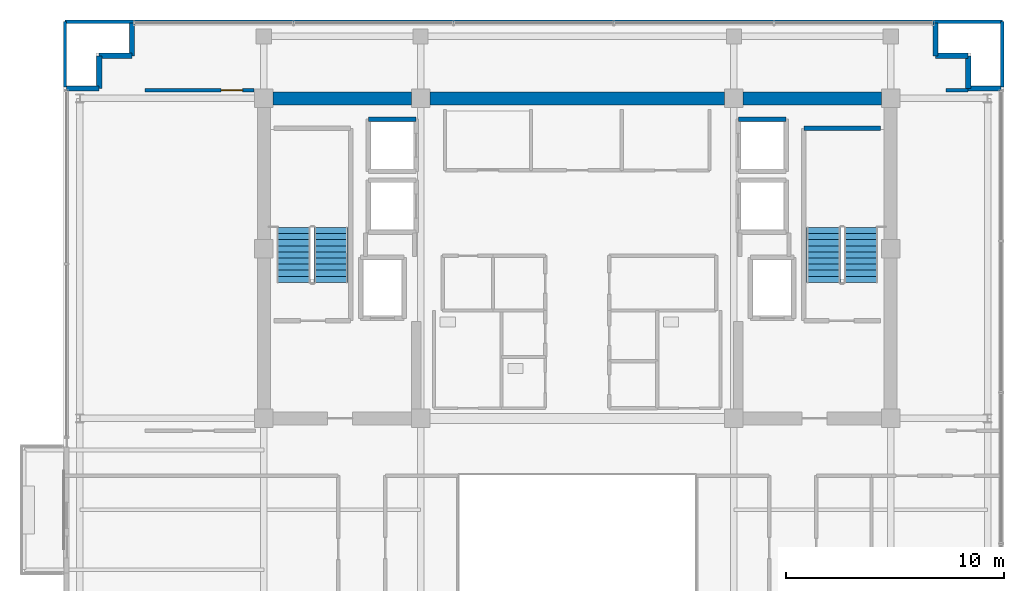
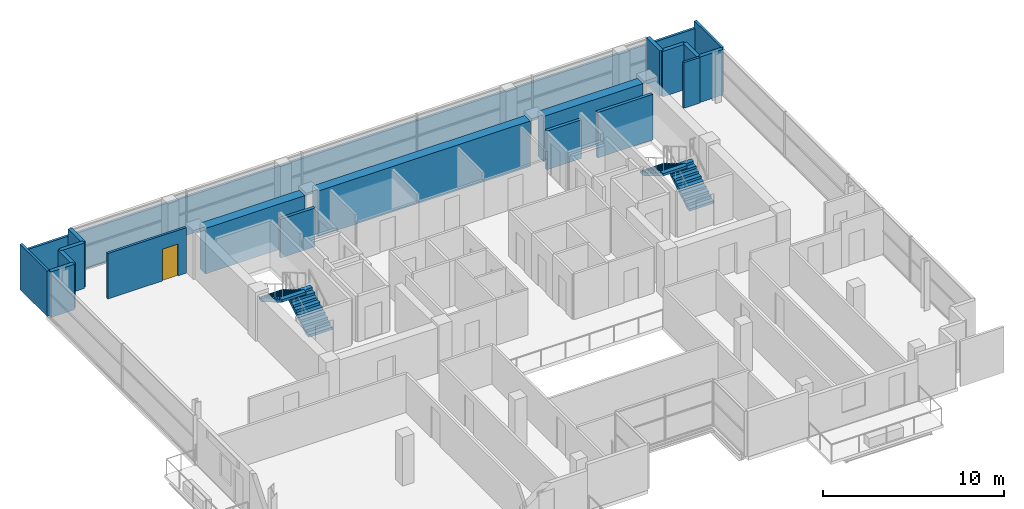
# One storey, part 18 of 22: 19 walls, 4 stair flights, 1 door, 1 opening, 2 elements without a shape of their own.
"""IFC4 building model written with IfcOpenShell, lengths in metres."""

from ifc_helpers import new_model, si_unit, direction, frame, frame_2d, origin, place, context, subcontext, project, spatial, polyline, rectangle, outline, extrude, source, transform, mapped, material, layer, layer_set, type_object, element, fill, aggregate, save


model = new_model("IFC4")

# Units and contexts
model_context = context("Model", 3, precision=1e-05, world=origin(), true_north=direction((0.0, 1.0)))
body_context = subcontext(model_context, "Body", "Model", "MODEL_VIEW")
ifc_project = project(units=[si_unit("LENGTHUNIT", "METRE"), si_unit("AREAUNIT", "SQUARE_METRE"), si_unit("VOLUMEUNIT", "CUBIC_METRE"), si_unit("PLANEANGLEUNIT", "RADIAN"), si_unit("MASSUNIT", "GRAM", prefix="KILO")], contexts=[model_context])

# Site, building, storey
site_placement = place(None, origin())
site = spatial("IfcSite", under=ifc_project, at=site_placement, CompositionType="ELEMENT")
building_placement = place(site_placement, origin())
building = spatial("IfcBuilding", under=site, at=building_placement, Name="Zarnakvel Exchange Tower", CompositionType="ELEMENT")
storey_placement = place(building_placement, frame((0.0, 0.0, 228.699951171875)))
storey = spatial("IfcBuildingStorey", under=building, at=storey_placement, Name="L64", CompositionType="ELEMENT", Elevation=228.699951171875)

# Walls
ifc_material_1 = material(Name="Concrete C50/60", Category="concrete")
ifc_layer_1 = layer(ifc_material_1, 0.60009765625)
ifc_layer_set_1 = layer_set([ifc_layer_1], Name="Concrete C50/60")
wall_type_1 = type_object("IfcWallType", Name="CW-C5", PredefinedType="SHEAR", material=ifc_layer_set_1)
wall_1_placement = place(storey_placement, frame((-13.97509765625, 13.5, 0.0), z_axis=(0.0, 0.0, 1.0), x_axis=(1.0, 0.0, 0.0)))
element("IfcWall", 1, at=wall_1_placement, inside=storey, type_object=wall_type_1, Name="L64 Rear Core Shear Wall N1 (CW-C5)", PredefinedType="SHEAR", context=body_context, shape_type="SweptSolid", body=[
    extrude(rectangle(XDim=6.35009765625, YDim=0.60009765625, at=frame_2d((3.175048828125, 0.0))), origin(), (0.0, 0.0, 1.0), 3.074951171875),
])
wall_2_placement = place(storey_placement, frame((-6.77490234375, 13.5, 0.0), z_axis=(0.0, 0.0, 1.0), x_axis=(1.0, 0.0, 0.0)))
element("IfcWall", 2, at=wall_2_placement, inside=storey, type_object=wall_type_1, Name="L64 Rear Core Shear Wall N2 (CW-C5)", PredefinedType="SHEAR", context=body_context, shape_type="SweptSolid", body=[
    extrude(rectangle(XDim=13.5498046875, YDim=0.60009765625, at=frame_2d((6.77490234375, 0.0))), origin(), (0.0, 0.0, 1.0), 3.074951171875),
])
wall_3_placement = place(storey_placement, frame((7.625, 13.5, 0.0), z_axis=(0.0, 0.0, 1.0), x_axis=(1.0, 0.0, 0.0)))
element("IfcWall", 3, at=wall_3_placement, inside=storey, type_object=wall_type_1, Name="L64 Rear Core Shear Wall N3 (CW-C5)", PredefinedType="SHEAR", context=body_context, shape_type="SweptSolid", body=[
    extrude(rectangle(XDim=6.35009765625, YDim=0.60009765625, at=frame_2d((3.175048828125, 0.0))), origin(), (0.0, 0.0, 1.0), 3.074951171875),
])
ifc_material_2 = material(Name="Precast concrete C40/50", Category="concrete")
ifc_layer_2 = layer(ifc_material_2, 0.239990234375)
ifc_layer_set_2 = layer_set([ifc_layer_2], Name="Precast concrete C40/50")
wall_type_2 = type_object("IfcWallType", Name="EW-02", PredefinedType="SOLIDWALL", material=ifc_layer_set_2)
for number, where, z_axis, x_axis, name in (
    (4, (-21.9599609375, 13.9599609375, 0.0), (0.0, 0.0, 1.0), (-1.0, 0.0, 0.0), "L64 Exterior Precast Spandrel Wall EWC-L64-03 (EW-02)"),
    (5, (-21.9599609375, 15.4599609375, 0.0), (0.0, 0.0, 1.0), (0.0, -1.0, 0.0), "L64 Exterior Precast Spandrel Wall EWC-L64-04 (EW-02)"),
    (6, (-20.4599609375, 15.4599609375, 0.0), (0.0, 0.0, 1.0), (-1.0, 0.0, 0.0), "L64 Exterior Precast Spandrel Wall EWC-L64-05 (EW-02)"),
    (7, (-20.4599609375, 16.9599609375, 0.0), (0.0, 0.0, 1.0), (0.0, -1.0, 0.0), "L64 Exterior Precast Spandrel Wall EWC-L64-06 (EW-02)"),
    (8, (16.4599609375, 15.4599609375, 0.0), (0.0, 0.0, 1.0), (0.0, 1.0, 0.0), "L64 Exterior Precast Spandrel Wall EWC-L64-07 (EW-02)"),
    (9, (17.9599609375, 15.4599609375, 0.0), (0.0, 0.0, 1.0), (-1.0, 0.0, 0.0), "L64 Exterior Precast Spandrel Wall EWC-L64-08 (EW-02)"),
    (10, (17.9599609375, 13.9599609375, 0.0), (0.0, 0.0, 1.0), (0.0, 1.0, 0.0), "L64 Exterior Precast Spandrel Wall EWC-L64-09 (EW-02)"),
    (11, (19.4599609375, 13.9599609375, 0.0), (0.0, 0.0, 1.0), (-1.0, 0.0, 0.0), "L64 Exterior Precast Spandrel Wall EWC-L64-10 (EW-02)"),
):
    element("IfcWall", number, at=place(storey_placement, frame(where, z_axis=z_axis, x_axis=x_axis)), inside=storey, type_object=wall_type_2, Name=name, PredefinedType="SOLIDWALL", context=body_context, shape_type="SweptSolid", body=[
        extrude(rectangle(XDim=1.5, YDim=0.239990234375, at=frame_2d((0.75, 0.0))), origin(), (0.0, 0.0, 1.0), 3.074951171875),
    ])

# Wall, opening, door
ifc_material_3 = material(Name="Fire-Rated Gypsum Stud Partition", Category="gypsum")
ifc_layer_3 = layer(ifc_material_3, 0.14990234375)
ifc_layer_set_3 = layer_set([ifc_layer_3], Name="Fire-Rated Gypsum Stud Partition")
wall_type_3 = type_object("IfcWallType", Name="PT-01", PredefinedType="PARTITIONING", material=ifc_layer_set_3)
wall_4_placement = place(storey_placement, frame((-19.853271484375, 13.8798828125, 0.0), z_axis=(0.0, 0.0, 1.0), x_axis=(1.0, 0.0, 0.0)))
wall_4 = element("IfcWall", 12, at=wall_4_placement, inside=storey, type_object=wall_type_3, Name="L64 Partition Wall PWALL-L64-067 (PT-01)", PredefinedType="PARTITIONING", context=body_context, shape_type="SweptSolid", body=[
    extrude(rectangle(XDim=5.00830078125, YDim=0.14990234375, at=frame_2d((2.504150390625, 0.0))), origin(), (0.0, 0.0, 1.0), 3.074951171875),
])
opening_placement = place(wall_4_placement, frame((3.498291015625, 0.0, 0.0)))
opening = element("IfcOpeningElement", 13, at=opening_placement, cuts=wall_4, Name="Opening D-L64-25", PredefinedType="OPENING", context=body_context, shape_type="SweptSolid", body=[
    extrude(rectangle(XDim=0.97998046875, YDim=2.14990234375, at=frame_2d((0.489990234375, 1.074951171875))), frame((0.0, 0.0849609375, 0.0), z_axis=(0.0, -1.0, 0.0), x_axis=(1.0, 0.0, 0.0)), (0.0, 0.0, 1.0), 0.169921875),
])
ifc_material_4 = material(Name="Timber Acoustic Veneer", Category="wood")
door_type = type_object("IfcDoorType", Name="DT-05", OperationType="NOTDEFINED", PredefinedType="DOOR", material=ifc_material_4)
shared_shape = source(origin(), body_context, "Body", "SweptSolid", [
    extrude(rectangle(XDim=0.97998046875, YDim=2.14990234375, at=frame_2d((0.489990234375, 1.074951171875))), frame((0.0, 0.02490234375, 0.0), z_axis=(0.0, -1.0, 0.0), x_axis=(1.0, 0.0, 0.0)), (0.0, 0.0, 1.0), 0.050048828125),
])
door_placement = place(opening_placement, origin())
door = element("IfcDoor", 14, at=door_placement, inside=storey, type_object=door_type, Name="L64 Compliance Office Door D-L64-25", OperationType="SINGLE_SWING_LEFT", OverallHeight=2.14990234375, OverallWidth=0.97998046875, PredefinedType="DOOR", context=body_context, shape_type="MappedRepresentation", body=[
    mapped(shared_shape, transform((0.0, 0.0, 0.0), x_axis=(1.0, 0.0, 0.0), y_axis=(0.0, 1.0, 0.0), z_axis=(0.0, 0.0, 1.0), scale=1.0)),
])
fill(opening, door)

# Walls
wall_5_placement = place(storey_placement, frame((16.929931640625, 13.8798828125, 0.0), z_axis=(0.0, 0.0, 1.0), x_axis=(1.0, 0.0, 0.0)))
element("IfcWall", 15, at=wall_5_placement, inside=storey, type_object=wall_type_3, Name="L64 Partition Wall PWALL-L64-069 (PT-01)", PredefinedType="PARTITIONING", context=body_context, shape_type="SweptSolid", body=[
    extrude(rectangle(XDim=1.030029296875, YDim=0.14990234375, at=frame_2d((0.51513671875, 0.0))), origin(), (0.0, 0.0, 1.0), 3.074951171875),
])
wall_6_placement = place(storey_placement, frame((-23.530029296875, 17.030029296875, 0.0), z_axis=(0.0, 0.0, 1.0), x_axis=(1.0, 0.0, 0.0)))
element("IfcWall", 16, at=wall_6_placement, inside=storey, type_object=wall_type_3, Name="L64 Partition Wall PWALL-L64-070 (PT-01)", PredefinedType="PARTITIONING", context=body_context, shape_type="SweptSolid", body=[
    extrude(rectangle(XDim=43.06005859375, YDim=0.14990234375, at=frame_2d((21.530029296875, 0.0))), origin(), (0.0, 0.0, 1.0), 2.590087890625),
])
for number, where, z_axis, x_axis, name in (
    (17, (-23.530029296875, 14.030029296875, 0.0), (0.0, 0.0, 1.0), (0.0, 1.0, 0.0), "L64 Partition Wall PWALL-L64-071 (PT-01)"),
    (18, (19.530029296875, 17.030029296875, 0.0), (0.0, 0.0, 1.0), (0.0, -1.0, 0.0), "L64 Partition Wall PWALL-L64-072 (PT-01)"),
):
    element("IfcWall", number, at=place(storey_placement, frame(where, z_axis=z_axis, x_axis=x_axis)), inside=storey, type_object=wall_type_3, Name=name, PredefinedType="PARTITIONING", context=body_context, shape_type="SweptSolid", body=[
        extrude(rectangle(XDim=3.0, YDim=0.14990234375, at=frame_2d((1.5, 0.0))), origin(), (0.0, 0.0, 1.0), 3.074951171875),
    ])
ifc_material_5 = material(Name="Concrete C40/50", Category="concrete")
ifc_layer_4 = layer(ifc_material_5, 0.199951171875)
ifc_layer_set_4 = layer_set([ifc_layer_4], Name="Concrete C40/50")
wall_type_4 = type_object("IfcWallType", Name="SW-01", PredefinedType="SOLIDWALL", material=ifc_layer_set_4)
for number, where, z_axis, x_axis, name in (
    (19, (-9.60009765625, 12.550048828125, 0.0), (0.0, 0.0, 1.0), (1.0, 0.0, 0.0), "L64 PL-10 Hoistway Wall North"),
    (20, (7.39990234375, 12.550048828125, 0.0), (0.0, 0.0, 1.0), (1.0, 0.0, 0.0), "L64 PL-12 Hoistway Wall North"),
):
    element("IfcWall", number, at=place(storey_placement, frame(where, z_axis=z_axis, x_axis=x_axis)), inside=storey, type_object=wall_type_4, Name=name, PredefinedType="SOLIDWALL", context=body_context, shape_type="SweptSolid", body=[
        extrude(rectangle(XDim=2.2001953125, YDim=0.199951171875, at=frame_2d((1.10009765625, 0.0))), origin(), (0.0, 0.0, 1.0), 2.614990234375),
    ])
ifc_layer_5 = layer(ifc_material_5, 0.199951171875)
ifc_layer_set_5 = layer_set([ifc_layer_5], Name="Concrete C40/50")
wall_type_5 = type_object("IfcWallType", Name="SW-02", PredefinedType="SOLIDWALL", material=ifc_layer_set_5)
wall_7_placement = place(storey_placement, frame((10.409912109375, 12.1298828125, 0.0), z_axis=(0.0, 0.0, 1.0), x_axis=(1.0, 0.0, 0.0)))
element("IfcWall", 21, at=wall_7_placement, inside=storey, type_object=wall_type_5, Name="L64 Stairwell Core Wall PWALL-L64-005 (SW-02)", PredefinedType="SOLIDWALL", context=body_context, shape_type="SweptSolid", body=[
    extrude(rectangle(XDim=3.52001953125, YDim=0.199951171875, at=frame_2d((1.760009765625, 0.0))), origin(), (0.0, 0.0, 1.0), 3.074951171875),
])

# Stair, stair flights
stair_type = type_object("IfcStairType", Name="STR-01", PredefinedType="HALF_TURN_STAIR", material=ifc_material_5)
stair_1_placement = place(storey_placement, origin())
stair_1 = element("IfcStair", 22, at=stair_1_placement, inside=storey, type_object=stair_type, Name="L64 Protected Core Exit Stair ST-01", PredefinedType="HALF_TURN_STAIR")
stair_flight_type = type_object("IfcStairFlightType", Name="FLT-01", PredefinedType="STRAIGHT", material=ifc_material_5)
stair_flight_1_placement = place(storey_placement, frame((-11.31494140625, 5.050048828125, 0.0), z_axis=(0.0, 0.0, 1.0), x_axis=(0.0, 1.0, 0.0)))
stair_flight_1 = element("IfcStairFlight", 23, at=stair_flight_1_placement, type_object=stair_flight_type, Name="ST-01 flight 1", NumberOfRisers=10, NumberOfTreads=9, PredefinedType="STRAIGHT", RiserHeight=0.165, TreadLength=0.28, context=body_context, shape_type="SweptSolid", body=[
    extrude(outline(polyline([(0.0, 0.0), (0.0, 0.1650390625), (0.280029296875, 0.1650390625), (0.280029296875, 0.330078125), (0.56005859375, 0.330078125), (0.56005859375, 0.4951171875), (0.840087890625, 0.4951171875), (0.840087890625, 0.659912109375), (1.1201171875, 0.659912109375), (1.1201171875, 0.824951171875), (1.39990234375, 0.824951171875), (1.39990234375, 0.989990234375), (1.679931640625, 0.989990234375), (1.679931640625, 1.155029296875), (1.9599609375, 1.155029296875), (1.9599609375, 1.320068359375), (2.239990234375, 1.320068359375), (2.239990234375, 1.485107421875), (2.52001953125, 1.485107421875), (2.52001953125, 1.64990234375), (2.52001953125, 1.31103515625), (0.295166015625, 0.0), (0.0, 0.0)])), frame((0.0, 0.77490234375, 0.0), z_axis=(0.0, -1.0, 0.0), x_axis=(1.0, 0.0, 0.0)), (0.0, 0.0, 1.0), 1.550048828125),
])
stair_flight_2_placement = place(storey_placement, frame((-13.02490234375, 7.570068359375, 1.650146484375), z_axis=(0.0, 0.0, 1.0), x_axis=(0.0, -1.0, 0.0)))
stair_flight_2 = element("IfcStairFlight", 24, at=stair_flight_2_placement, type_object=stair_flight_type, Name="ST-01 flight 2", NumberOfRisers=10, NumberOfTreads=9, PredefinedType="STRAIGHT", RiserHeight=0.165, TreadLength=0.28, context=body_context, shape_type="SweptSolid", body=[
    extrude(outline(polyline([(0.0, 0.0), (0.0, 0.1650390625), (0.280029296875, 0.1650390625), (0.280029296875, 0.330078125), (0.56005859375, 0.330078125), (0.56005859375, 0.4951171875), (0.840087890625, 0.4951171875), (0.840087890625, 0.659912109375), (1.1201171875, 0.659912109375), (1.1201171875, 0.824951171875), (1.39990234375, 0.824951171875), (1.39990234375, 0.989990234375), (1.679931640625, 0.989990234375), (1.679931640625, 1.155029296875), (1.9599609375, 1.155029296875), (1.9599609375, 1.320068359375), (2.239990234375, 1.320068359375), (2.239990234375, 1.485107421875), (2.52001953125, 1.485107421875), (2.52001953125, 1.64990234375), (2.52001953125, 1.31103515625), (0.295166015625, 0.0), (0.0, 0.0)])), frame((0.0, 0.77490234375, 0.0), z_axis=(0.0, -1.0, 0.0), x_axis=(1.0, 0.0, 0.0)), (0.0, 0.0, 1.0), 1.550048828125),
])
aggregate(stair_1, [stair_flight_1, stair_flight_2])

stair_2_placement = place(storey_placement, origin())
stair_2 = element("IfcStair", 25, at=stair_2_placement, inside=storey, type_object=stair_type, Name="L64 Protected Core Exit Stair ST-02", PredefinedType="HALF_TURN_STAIR")
stair_flight_3_placement = place(storey_placement, frame((13.02490234375, 5.050048828125, 0.0), z_axis=(0.0, 0.0, 1.0), x_axis=(0.0, 1.0, 0.0)))
stair_flight_3 = element("IfcStairFlight", 26, at=stair_flight_3_placement, type_object=stair_flight_type, Name="ST-02 flight 1", NumberOfRisers=10, NumberOfTreads=9, PredefinedType="STRAIGHT", RiserHeight=0.165, TreadLength=0.28, context=body_context, shape_type="SweptSolid", body=[
    extrude(outline(polyline([(0.0, 0.0), (0.0, 0.1650390625), (0.280029296875, 0.1650390625), (0.280029296875, 0.330078125), (0.56005859375, 0.330078125), (0.56005859375, 0.4951171875), (0.840087890625, 0.4951171875), (0.840087890625, 0.659912109375), (1.1201171875, 0.659912109375), (1.1201171875, 0.824951171875), (1.39990234375, 0.824951171875), (1.39990234375, 0.989990234375), (1.679931640625, 0.989990234375), (1.679931640625, 1.155029296875), (1.9599609375, 1.155029296875), (1.9599609375, 1.320068359375), (2.239990234375, 1.320068359375), (2.239990234375, 1.485107421875), (2.52001953125, 1.485107421875), (2.52001953125, 1.64990234375), (2.52001953125, 1.31103515625), (0.295166015625, 0.0), (0.0, 0.0)])), frame((0.0, 0.77490234375, 0.0), z_axis=(0.0, -1.0, 0.0), x_axis=(1.0, 0.0, 0.0)), (0.0, 0.0, 1.0), 1.550048828125),
])
stair_flight_4_placement = place(storey_placement, frame((11.31494140625, 7.570068359375, 1.650146484375), z_axis=(0.0, 0.0, 1.0), x_axis=(0.0, -1.0, 0.0)))
stair_flight_4 = element("IfcStairFlight", 27, at=stair_flight_4_placement, type_object=stair_flight_type, Name="ST-02 flight 2", NumberOfRisers=10, NumberOfTreads=9, PredefinedType="STRAIGHT", RiserHeight=0.165, TreadLength=0.28, context=body_context, shape_type="SweptSolid", body=[
    extrude(outline(polyline([(0.0, 0.0), (0.0, 0.1650390625), (0.280029296875, 0.1650390625), (0.280029296875, 0.330078125), (0.56005859375, 0.330078125), (0.56005859375, 0.4951171875), (0.840087890625, 0.4951171875), (0.840087890625, 0.659912109375), (1.1201171875, 0.659912109375), (1.1201171875, 0.824951171875), (1.39990234375, 0.824951171875), (1.39990234375, 0.989990234375), (1.679931640625, 0.989990234375), (1.679931640625, 1.155029296875), (1.9599609375, 1.155029296875), (1.9599609375, 1.320068359375), (2.239990234375, 1.320068359375), (2.239990234375, 1.485107421875), (2.52001953125, 1.485107421875), (2.52001953125, 1.64990234375), (2.52001953125, 1.31103515625), (0.295166015625, 0.0), (0.0, 0.0)])), frame((0.0, 0.77490234375, 0.0), z_axis=(0.0, -1.0, 0.0), x_axis=(1.0, 0.0, 0.0)), (0.0, 0.0, 1.0), 1.550048828125),
])
aggregate(stair_2, [stair_flight_3, stair_flight_4])

save(model, "model.ifc")
